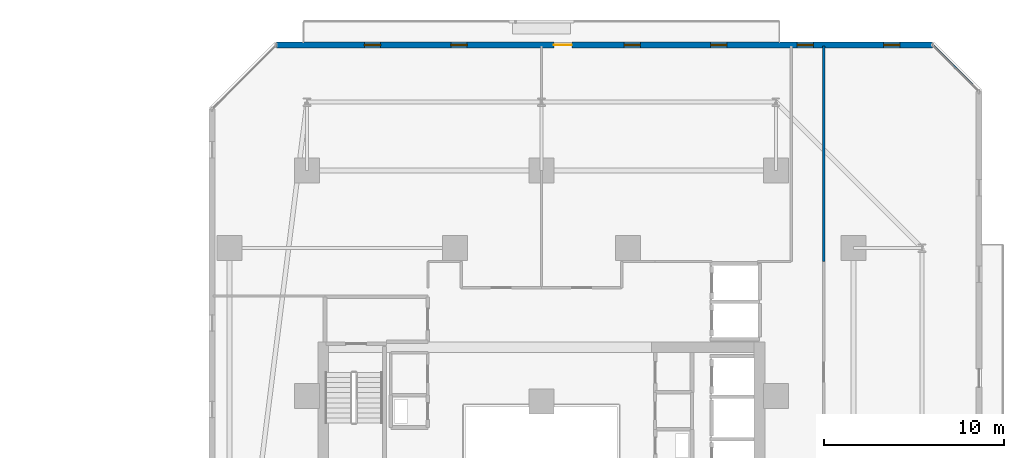
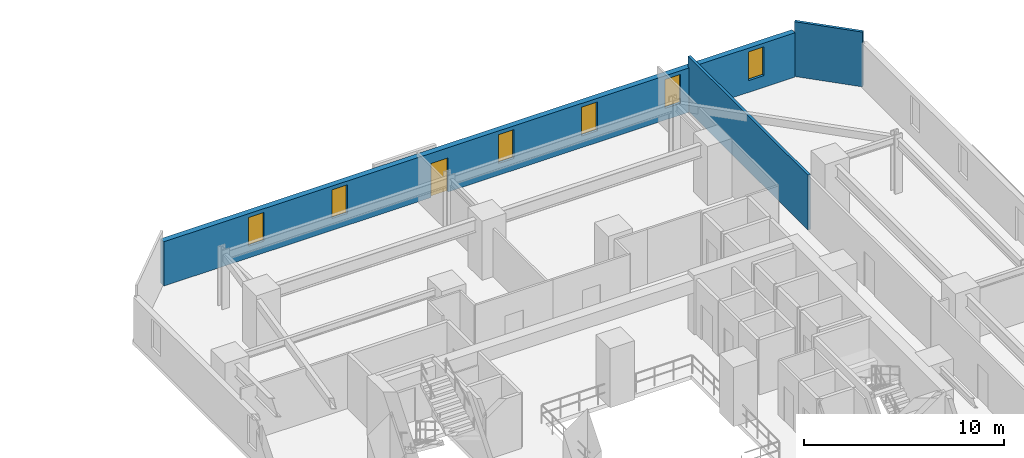
# One storey, part 27 of 34: 6 windows, 3 walls, 1 door, 7 openings.
"""IFC4 building model written with IfcOpenShell, lengths in metres."""

from ifc_helpers import new_model, si_unit, direction, frame, frame_2d, origin, place, context, subcontext, project, spatial, rectangle, extrude, material, layer, layer_set, type_object, element, fill, save


model = new_model("IFC4")

# Units and contexts
model_context = context("Model", 3, precision=1e-05, world=origin(), true_north=direction((0.0, 1.0)))
body_context = subcontext(model_context, "Body", "Model", "MODEL_VIEW")
ifc_project = project(units=[si_unit("LENGTHUNIT", "METRE"), si_unit("AREAUNIT", "SQUARE_METRE"), si_unit("VOLUMEUNIT", "CUBIC_METRE"), si_unit("PLANEANGLEUNIT", "RADIAN"), si_unit("MASSUNIT", "GRAM", prefix="KILO")], contexts=[model_context])

# Site, building, storey
site_placement = place(None, origin())
site = spatial("IfcSite", under=ifc_project, at=site_placement, CompositionType="ELEMENT")
building_placement = place(site_placement, origin())
building = spatial("IfcBuilding", under=site, at=building_placement, Name="Thornwick Lancets Civic Towers", CompositionType="ELEMENT")
storey_placement = place(building_placement, frame((0.0, 0.0, 57.300048828125)))
storey = spatial("IfcBuildingStorey", under=building, at=storey_placement, Name="L14", CompositionType="ELEMENT", Elevation=57.300048828125)

# Wall, openings, door, windows
ifc_material_1 = material(Name="Insulated buff terracotta rainscreen on concrete C40/50", Category="masonry")
ifc_layer_1 = layer(ifc_material_1, 0.320068359375, Name="Insulated buff terracotta rainscreen on concrete C40/50")
ifc_layer_set_1 = layer_set([ifc_layer_1], Name="Insulated buff terracotta rainscreen on concrete C40/50")
wall_type_1 = type_object("IfcWallType", Name="WALL_EXT_TERRA_320", PredefinedType="STANDARD", material=ifc_layer_set_1)
wall_1_placement = place(storey_placement, frame((110.18115234375, 51.264892578125, 0.0), z_axis=(0.0, 0.0, 1.0), x_axis=(-0.999999996195, -8.7231344e-05, 0.0)))
wall_1 = element("IfcWall", 1, at=wall_1_placement, inside=storey, type_object=wall_type_1, Name="L14 Tower B Terracotta Facade Wall E4", PredefinedType="STANDARD", context=body_context, shape_type="SweptSolid", body=[
    extrude(rectangle(XDim=36.384033203125, YDim=0.320068359375, at=frame_2d((18.19189453125, 0.0))), origin(), (0.0, 0.0, 1.0), 2.699951171875),
])
opening_1_placement = place(wall_1_placement, frame((19.991943359375, 0.0, 0.0)))
opening_1 = element("IfcOpeningElement", 2, at=opening_1_placement, cuts=wall_1, Name="Opening D-BL-L14-BN", PredefinedType="OPENING", context=body_context, shape_type="SweptSolid", body=[
    extrude(rectangle(XDim=1.0, YDim=2.080078125, at=frame_2d((0.5, 1.0400390625))), frame((0.0, 0.169921875, 0.0), z_axis=(0.0, -1.0, 0.0), x_axis=(1.0, 0.0, 0.0)), (0.0, 0.0, 1.0), 0.340087890625),
])
opening_2_placement = place(wall_1_placement, frame((1.800048828125, 0.0, 0.719970703125)))
opening_2 = element("IfcOpeningElement", 3, at=opening_2_placement, cuts=wall_1, Name="Opening WL-01", PredefinedType="OPENING", context=body_context, shape_type="SweptSolid", body=[
    extrude(rectangle(XDim=0.89990234375, YDim=1.75, at=frame_2d((0.449951171875, 0.875))), frame((0.0, 0.169921875, 0.0), z_axis=(0.0, -1.0, 0.0), x_axis=(1.0, 0.0, 0.0)), (0.0, 0.0, 1.0), 0.340087890625),
])
opening_3_placement = place(wall_1_placement, frame((6.60009765625, 0.0, 0.719970703125)))
opening_3 = element("IfcOpeningElement", 4, at=opening_3_placement, cuts=wall_1, Name="Opening WL-01", PredefinedType="OPENING", context=body_context, shape_type="SweptSolid", body=[
    extrude(rectangle(XDim=0.89990234375, YDim=1.75, at=frame_2d((0.449951171875, 0.875))), frame((0.0, 0.169921875, 0.0), z_axis=(0.0, -1.0, 0.0), x_axis=(1.0, 0.0, 0.0)), (0.0, 0.0, 1.0), 0.340087890625),
])
opening_4_placement = place(wall_1_placement, frame((11.39990234375, 0.0, 0.719970703125)))
opening_4 = element("IfcOpeningElement", 5, at=opening_4_placement, cuts=wall_1, Name="Opening WL-01", PredefinedType="OPENING", context=body_context, shape_type="SweptSolid", body=[
    extrude(rectangle(XDim=0.89990234375, YDim=1.75, at=frame_2d((0.449951171875, 0.875))), frame((0.0, 0.169921875, 0.0), z_axis=(0.0, -1.0, 0.0), x_axis=(1.0, 0.0, 0.0)), (0.0, 0.0, 1.0), 0.340087890625),
])
opening_5_placement = place(wall_1_placement, frame((16.199951171875, 0.0, 0.719970703125)))
opening_5 = element("IfcOpeningElement", 6, at=opening_5_placement, cuts=wall_1, Name="Opening WL-01", PredefinedType="OPENING", context=body_context, shape_type="SweptSolid", body=[
    extrude(rectangle(XDim=0.89990234375, YDim=1.75, at=frame_2d((0.449951171875, 0.875))), frame((0.0, 0.169921875, 0.0), z_axis=(0.0, -1.0, 0.0), x_axis=(1.0, 0.0, 0.0)), (0.0, 0.0, 1.0), 0.340087890625),
])
opening_6_placement = place(wall_1_placement, frame((25.800048828125, 0.0, 0.719970703125)))
opening_6 = element("IfcOpeningElement", 7, at=opening_6_placement, cuts=wall_1, Name="Opening WL-01", PredefinedType="OPENING", context=body_context, shape_type="SweptSolid", body=[
    extrude(rectangle(XDim=0.89990234375, YDim=1.75, at=frame_2d((0.449951171875, 0.875))), frame((0.0, 0.169921875, 0.0), z_axis=(0.0, -1.0, 0.0), x_axis=(1.0, 0.0, 0.0)), (0.0, 0.0, 1.0), 0.340087890625),
])
opening_7_placement = place(wall_1_placement, frame((30.60009765625, 0.0, 0.719970703125)))
opening_7 = element("IfcOpeningElement", 8, at=opening_7_placement, cuts=wall_1, Name="Opening WL-01", PredefinedType="OPENING", context=body_context, shape_type="SweptSolid", body=[
    extrude(rectangle(XDim=0.89990234375, YDim=1.75, at=frame_2d((0.449951171875, 0.875))), frame((0.0, 0.169921875, 0.0), z_axis=(0.0, -1.0, 0.0), x_axis=(1.0, 0.0, 0.0)), (0.0, 0.0, 1.0), 0.340087890625),
])
ifc_material_2 = material(Name="Thermally broken glazed loggia doorset")
door_type = type_object("IfcDoorType", Name="DOOR_BALC_1000", OperationType="NOTDEFINED", PredefinedType="DOOR", material=ifc_material_2)
door_placement = place(opening_1_placement, origin())
door = element("IfcDoor", 9, at=door_placement, inside=storey, type_object=door_type, Name="L14 Tower B Loggia Balcony Door N", OperationType="SINGLE_SWING_LEFT", OverallHeight=2.080078125, OverallWidth=1.0, PredefinedType="DOOR", context=body_context, shape_type="SweptSolid", body=[
    extrude(rectangle(XDim=1.0, YDim=2.080078125, at=frame_2d((0.5, 1.0400390625))), frame((0.0, 0.02490234375, 0.0), z_axis=(0.0, -1.0, 0.0), x_axis=(1.0, 0.0, 0.0)), (0.0, 0.0, 1.0), 0.050048828125),
])
fill(opening_1, door)
ifc_material_3 = material(Name="Clear low-e double glazing in bronze frame", Category="glass")
window_type = type_object("IfcWindowType", Name="WIN_LANCET_900", PartitioningType="SINGLE_PANEL", PredefinedType="WINDOW", material=ifc_material_3)
window_1_placement = place(opening_2_placement, origin())
window_1 = element("IfcWindow", 10, at=window_1_placement, inside=storey, type_object=window_type, Name="L14 Tower B Staggered Lancet Window E4-1", OverallHeight=1.75, OverallWidth=0.89990234375, PartitioningType="SINGLE_PANEL", PredefinedType="WINDOW", context=body_context, shape_type="SweptSolid", body=[
    extrude(rectangle(XDim=0.89990234375, YDim=1.75, at=frame_2d((0.449951171875, 0.875))), frame((0.0, 0.030029296875, 0.0), z_axis=(0.0, -1.0, 0.0), x_axis=(1.0, 0.0, 0.0)), (0.0, 0.0, 1.0), 0.06005859375),
])
fill(opening_2, window_1)
window_2_placement = place(opening_3_placement, origin())
window_2 = element("IfcWindow", 11, at=window_2_placement, inside=storey, type_object=window_type, Name="L14 Tower B Staggered Lancet Window E4-2", OverallHeight=1.75, OverallWidth=0.89990234375, PartitioningType="SINGLE_PANEL", PredefinedType="WINDOW", context=body_context, shape_type="SweptSolid", body=[
    extrude(rectangle(XDim=0.89990234375, YDim=1.75, at=frame_2d((0.449951171875, 0.875))), frame((0.0, 0.030029296875, 0.0), z_axis=(0.0, -1.0, 0.0), x_axis=(1.0, 0.0, 0.0)), (0.0, 0.0, 1.0), 0.06005859375),
])
fill(opening_3, window_2)
window_3_placement = place(opening_4_placement, origin())
window_3 = element("IfcWindow", 12, at=window_3_placement, inside=storey, type_object=window_type, Name="L14 Tower B Staggered Lancet Window E4-3", OverallHeight=1.75, OverallWidth=0.89990234375, PartitioningType="SINGLE_PANEL", PredefinedType="WINDOW", context=body_context, shape_type="SweptSolid", body=[
    extrude(rectangle(XDim=0.89990234375, YDim=1.75, at=frame_2d((0.449951171875, 0.875))), frame((0.0, 0.030029296875, 0.0), z_axis=(0.0, -1.0, 0.0), x_axis=(1.0, 0.0, 0.0)), (0.0, 0.0, 1.0), 0.06005859375),
])
fill(opening_4, window_3)
window_4_placement = place(opening_5_placement, origin())
window_4 = element("IfcWindow", 13, at=window_4_placement, inside=storey, type_object=window_type, Name="L14 Tower B Staggered Lancet Window E4-4", OverallHeight=1.75, OverallWidth=0.89990234375, PartitioningType="SINGLE_PANEL", PredefinedType="WINDOW", context=body_context, shape_type="SweptSolid", body=[
    extrude(rectangle(XDim=0.89990234375, YDim=1.75, at=frame_2d((0.449951171875, 0.875))), frame((0.0, 0.030029296875, 0.0), z_axis=(0.0, -1.0, 0.0), x_axis=(1.0, 0.0, 0.0)), (0.0, 0.0, 1.0), 0.06005859375),
])
fill(opening_5, window_4)
window_5_placement = place(opening_6_placement, origin())
window_5 = element("IfcWindow", 14, at=window_5_placement, inside=storey, type_object=window_type, Name="L14 Tower B Staggered Lancet Window E4-5", OverallHeight=1.75, OverallWidth=0.89990234375, PartitioningType="SINGLE_PANEL", PredefinedType="WINDOW", context=body_context, shape_type="SweptSolid", body=[
    extrude(rectangle(XDim=0.89990234375, YDim=1.75, at=frame_2d((0.449951171875, 0.875))), frame((0.0, 0.030029296875, 0.0), z_axis=(0.0, -1.0, 0.0), x_axis=(1.0, 0.0, 0.0)), (0.0, 0.0, 1.0), 0.06005859375),
])
fill(opening_6, window_5)
window_6_placement = place(opening_7_placement, origin())
window_6 = element("IfcWindow", 15, at=window_6_placement, inside=storey, type_object=window_type, Name="L14 Tower B Staggered Lancet Window E4-6", OverallHeight=1.75, OverallWidth=0.89990234375, PartitioningType="SINGLE_PANEL", PredefinedType="WINDOW", context=body_context, shape_type="SweptSolid", body=[
    extrude(rectangle(XDim=0.89990234375, YDim=1.75, at=frame_2d((0.449951171875, 0.875))), frame((0.0, 0.030029296875, 0.0), z_axis=(0.0, -1.0, 0.0), x_axis=(1.0, 0.0, 0.0)), (0.0, 0.0, 1.0), 0.06005859375),
])
fill(opening_7, window_6)

# Walls
ifc_material_4 = material(Name="Twin-stud acoustic gypsum board")
ifc_layer_2 = layer(ifc_material_4, 0.14990234375, Name="Twin-stud acoustic gypsum board")
ifc_layer_set_2 = layer_set([ifc_layer_2], Name="Twin-stud acoustic gypsum board")
wall_type_2 = type_object("IfcWallType", Name="WALL_PART_150", PredefinedType="PARTITIONING", material=ifc_layer_set_2)
wall_2_placement = place(storey_placement, frame((104.14990234375, 39.25, 0.0), z_axis=(0.0, 0.0, 1.0), x_axis=(0.0, 1.0, 0.0)))
element("IfcWall", 16, at=wall_2_placement, inside=storey, type_object=wall_type_2, Name="L14 Partition L14-B-S-ARCH E2", PredefinedType="PARTITIONING", context=body_context, shape_type="SweptSolid", body=[
    extrude(rectangle(XDim=11.969970703125, YDim=0.14990234375, at=frame_2d((5.98486328125, 0.0))), origin(), (0.0, 0.0, 1.0), 3.33984375),
])
wall_3_placement = place(storey_placement, frame((110.225341796875, 51.219970703125, 0.0), z_axis=(0.0, 0.0, 1.0), x_axis=(0.707106781187, -0.707106781187, 0.0)))
element("IfcWall", 17, at=wall_3_placement, inside=storey, type_object=wall_type_2, Name="L14 Partition L14-B-S-ARCH E4", PredefinedType="PARTITIONING", context=body_context, shape_type="SweptSolid", body=[
    extrude(rectangle(XDim=3.52783203125, YDim=0.14990234375, at=frame_2d((1.763916015625, 0.0))), origin(), (0.0, 0.0, 1.0), 3.33984375),
])

save(model, "model.ifc")
